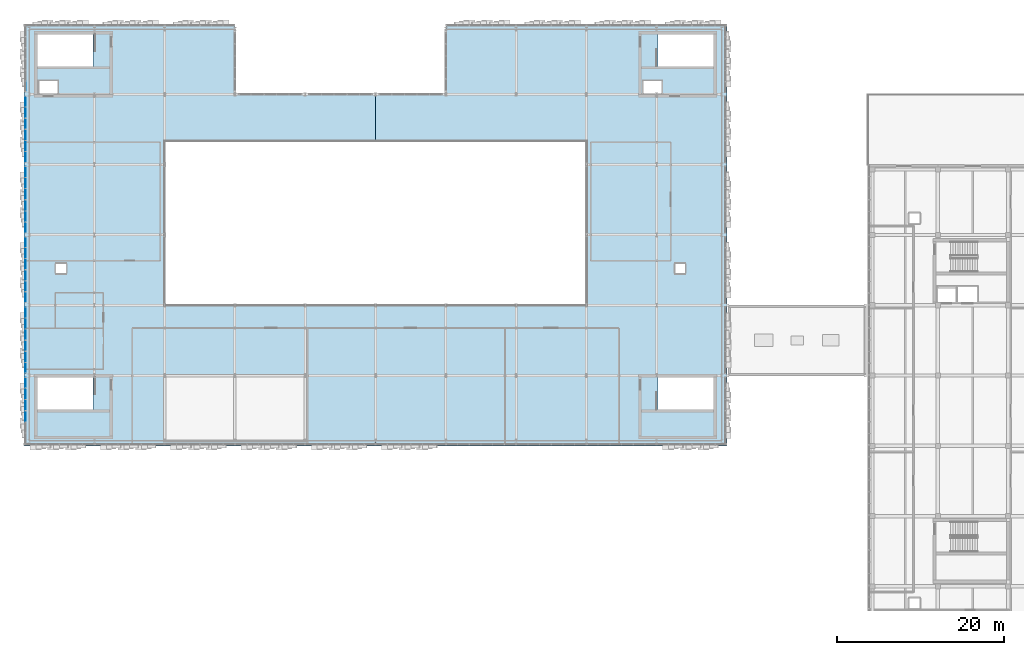
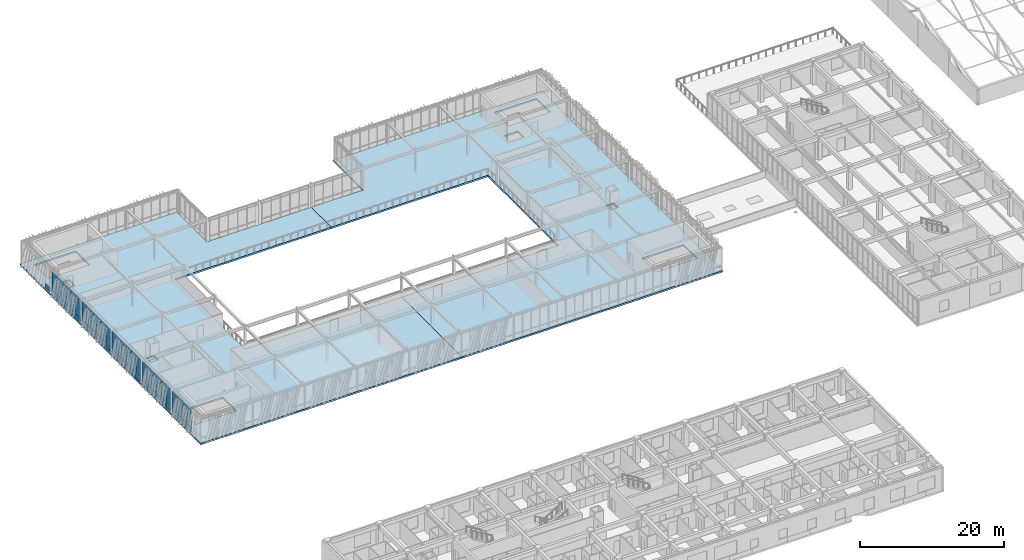
# One storey, part 89 of 123: 57 plates, 2 slabs, 6 elements without a shape of their own.
"""IFC4 building model written with IfcOpenShell, lengths in metres."""

from ifc_helpers import new_model, si_unit, direction, frame, origin, origin_2d, place, context, subcontext, project, spatial, polyline, rectangle, outline, extrude, material, layer, layer_set, type_object, element, aggregate, save


model = new_model("IFC4")

# Units and contexts
model_context = context("Model", 3, precision=1e-05, world=origin(), true_north=direction((0.0, 1.0)))
body_context = subcontext(model_context, "Body", "Model", "MODEL_VIEW")
ifc_project = project(units=[si_unit("LENGTHUNIT", "METRE"), si_unit("AREAUNIT", "SQUARE_METRE"), si_unit("VOLUMEUNIT", "CUBIC_METRE"), si_unit("PLANEANGLEUNIT", "RADIAN"), si_unit("MASSUNIT", "GRAM", prefix="KILO")], contexts=[model_context])

# Site, building, storey
site_placement = place(None, origin())
site = spatial("IfcSite", under=ifc_project, at=site_placement, CompositionType="ELEMENT")
building_placement = place(site_placement, origin())
building = spatial("IfcBuilding", under=site, at=building_placement, Name="Zayran Congress Hotel", CompositionType="ELEMENT")
storey_placement = place(building_placement, frame((0.0, 0.0, 15.0)))
storey = spatial("IfcBuildingStorey", under=building, at=storey_placement, Name="L03", CompositionType="ELEMENT", Elevation=15.0)

# Slabs
ifc_material_1 = material(Name="Concrete C32/40", Category="concrete")
ifc_layer_1 = layer(ifc_material_1, 0.280029296875)
ifc_layer_set_1 = layer_set([ifc_layer_1], Name="Concrete C32/40")
slab_type = type_object("IfcSlabType", Name="SL-FL-280", PredefinedType="FLOOR", material=ifc_layer_set_1)
slab_1_placement = place(storey_placement, frame((0.0, 0.0, -0.280029296875)))
element("IfcSlab", 1, at=slab_1_placement, inside=storey, type_object=slab_type, Name="SLB-V1-L03-007", PredefinedType="FLOOR", context=body_context, shape_type="SweptSolid", body=[
    extrude(outline(polyline([(8.39990234375, 67.60009765625), (50.39990234375, 67.60009765625), (50.39990234375, 84.39990234375), (25.199951171875, 84.39990234375), (25.199951171875, 104.0), (50.39990234375, 104.0), (50.39990234375, 109.60009765625), (33.60009765625, 109.60009765625), (33.60009765625, 118.0), (8.39990234375, 118.0), (8.39990234375, 67.60009765625)]), holes=[polyline([(10.0, 112.9599609375), (16.659912109375, 112.9599609375), (16.659912109375, 116.800048828125), (10.0, 116.800048828125), (10.0, 112.9599609375)]), polyline([(10.199951171875, 109.60009765625), (12.39990234375, 109.60009765625), (12.39990234375, 111.199951171875), (10.199951171875, 111.199951171875), (10.199951171875, 109.60009765625)]), polyline([(10.0, 71.9599609375), (16.659912109375, 71.9599609375), (16.659912109375, 75.800048828125), (10.0, 75.800048828125), (10.0, 71.9599609375)]), polyline([(12.199951171875, 88.199951171875), (13.419921875, 88.199951171875), (13.419921875, 89.3798828125), (12.199951171875, 89.3798828125), (12.199951171875, 88.199951171875)])]), origin(), (0.0, 0.0, 1.0), 0.280029296875),
])
slab_2_placement = place(storey_placement, frame((0.0, 0.0, -0.280029296875)))
element("IfcSlab", 2, at=slab_2_placement, inside=storey, type_object=slab_type, Name="SLB-V1-L03-008", PredefinedType="FLOOR", context=body_context, shape_type="SweptSolid", body=[
    extrude(outline(polyline([(50.39990234375, 67.60009765625), (92.39990234375, 67.60009765625), (92.39990234375, 118.0), (58.800048828125, 118.0), (58.800048828125, 109.60009765625), (50.39990234375, 109.60009765625), (50.39990234375, 104.0), (75.60009765625, 104.0), (75.60009765625, 84.39990234375), (50.39990234375, 84.39990234375), (50.39990234375, 67.60009765625)]), holes=[polyline([(84.139892578125, 112.9599609375), (90.800048828125, 112.9599609375), (90.800048828125, 116.800048828125), (84.139892578125, 116.800048828125), (84.139892578125, 112.9599609375)]), polyline([(82.39990234375, 109.60009765625), (84.60009765625, 109.60009765625), (84.60009765625, 111.199951171875), (82.39990234375, 111.199951171875), (82.39990234375, 109.60009765625)]), polyline([(84.139892578125, 71.9599609375), (90.800048828125, 71.9599609375), (90.800048828125, 75.800048828125), (84.139892578125, 75.800048828125), (84.139892578125, 71.9599609375)]), polyline([(86.199951171875, 88.199951171875), (87.419921875, 88.199951171875), (87.419921875, 89.3798828125), (86.199951171875, 89.3798828125), (86.199951171875, 88.199951171875)])]), origin(), (0.0, 0.0, 1.0), 0.280029296875),
])

# Curtain wall, plates
ifc_material_2 = material(Name="Anodised aluminium and low-E insulated glass", Category="aluminium")
ifc_layer_2 = layer(ifc_material_2, 0.179931640625)
ifc_layer_set_2 = layer_set([ifc_layer_2], Name="Anodised aluminium and low-E insulated glass")
curtain_wall_type_1 = type_object("IfcCurtainWallType", Name="CW-V1W-L03-CW-31-8040-3980", PredefinedType="USERDEFINED", material=ifc_layer_set_2)
curtain_wall_1_placement = place(storey_placement, origin())
curtain_wall_1 = element("IfcCurtainWall", 3, at=curtain_wall_1_placement, inside=storey, type_object=curtain_wall_type_1, Name="CW-V1W-L03-0", ObjectType="CURTAIN WALL", PredefinedType="USERDEFINED")
ifc_material_3 = material(Name="Insulated warm bronze aluminium spandrel panel", Category="aluminium")
ifc_layer_3 = layer(ifc_material_3, 0.06005859375)
ifc_layer_set_3 = layer_set([ifc_layer_3], Name="Insulated warm bronze aluminium spandrel panel")
plate_type_1 = type_object("IfcPlateType", Name="CWP-SP-1220-750", PredefinedType="CURTAIN_PANEL", material=ifc_layer_set_3)
plate_1_placement = place(storey_placement, frame((8.550048828125, 75.1298828125, 0.06005859375), z_axis=(0.0, 0.0, 1.0), x_axis=(0.0, 1.0, 0.0)))
plate_1 = element("IfcPlate", 4, at=plate_1_placement, type_object=plate_type_1, Name="CW-31 Spandrel Panel 1", PredefinedType="CURTAIN_PANEL", context=body_context, shape_type="SweptSolid", body=[
    extrude(rectangle(XDim=1.219970703125, YDim=0.06005859375, at=origin_2d()), origin(), (0.0, 0.0, 1.0), 0.75),
])
plate_2_placement = place(storey_placement, frame((8.550048828125, 73.81005859375, 0.06005859375), z_axis=(0.0, 0.0, 1.0), x_axis=(0.0, 1.0, 0.0)))
plate_2 = element("IfcPlate", 5, at=plate_2_placement, type_object=plate_type_1, Name="CW-31 Spandrel Panel 2", PredefinedType="CURTAIN_PANEL", context=body_context, shape_type="SweptSolid", body=[
    extrude(rectangle(XDim=1.260009765625, YDim=0.06005859375, at=origin_2d()), origin(), (0.0, 0.0, 1.0), 0.75),
])
plate_3_placement = place(storey_placement, frame((8.550048828125, 72.469970703125, 0.06005859375), z_axis=(0.0, 0.0, 1.0), x_axis=(0.0, 1.0, 0.0)))
plate_3 = element("IfcPlate", 6, at=plate_3_placement, type_object=plate_type_1, Name="CW-31 Spandrel Panel 3", PredefinedType="CURTAIN_PANEL", context=body_context, shape_type="SweptSolid", body=[
    extrude(rectangle(XDim=1.260009765625, YDim=0.06005859375, at=origin_2d()), origin(), (0.0, 0.0, 1.0), 0.75),
])
plate_4_placement = place(storey_placement, frame((8.550048828125, 71.1298828125, 0.06005859375), z_axis=(0.0, 0.0, 1.0), x_axis=(0.0, 1.0, 0.0)))
plate_4 = element("IfcPlate", 7, at=plate_4_placement, type_object=plate_type_1, Name="CW-31 Spandrel Panel 4", PredefinedType="CURTAIN_PANEL", context=body_context, shape_type="SweptSolid", body=[
    extrude(rectangle(XDim=1.260009765625, YDim=0.06005859375, at=origin_2d()), origin(), (0.0, 0.0, 1.0), 0.75),
])

ifc_layer_4 = layer(ifc_material_2, 0.179931640625)
ifc_layer_set_4 = layer_set([ifc_layer_4], Name="Anodised aluminium and low-E insulated glass")
curtain_wall_type_2 = type_object("IfcCurtainWallType", Name="CW-V1W-L03-CW-32-8040-3980", PredefinedType="USERDEFINED", material=ifc_layer_set_4)
curtain_wall_2_placement = place(storey_placement, origin())
curtain_wall_2 = element("IfcCurtainWall", 8, at=curtain_wall_2_placement, inside=storey, type_object=curtain_wall_type_2, Name="CW-V1W-L03-3", ObjectType="CURTAIN WALL", PredefinedType="USERDEFINED")
plate_5_placement = place(storey_placement, frame((8.550048828125, 100.330078125, 0.06005859375), z_axis=(0.0, 0.0, 1.0), x_axis=(0.0, 1.0, 0.0)))
plate_5 = element("IfcPlate", 9, at=plate_5_placement, type_object=plate_type_1, Name="CW-32 Spandrel Panel 1", PredefinedType="CURTAIN_PANEL", context=body_context, shape_type="SweptSolid", body=[
    extrude(rectangle(XDim=1.219970703125, YDim=0.06005859375, at=origin_2d()), origin(), (0.0, 0.0, 1.0), 0.75),
])
plate_6_placement = place(storey_placement, frame((8.550048828125, 99.010009765625, 0.06005859375), z_axis=(0.0, 0.0, 1.0), x_axis=(0.0, 1.0, 0.0)))
plate_6 = element("IfcPlate", 10, at=plate_6_placement, type_object=plate_type_1, Name="CW-32 Spandrel Panel 2", PredefinedType="CURTAIN_PANEL", context=body_context, shape_type="SweptSolid", body=[
    extrude(rectangle(XDim=1.260009765625, YDim=0.06005859375, at=origin_2d()), origin(), (0.0, 0.0, 1.0), 0.75),
])
plate_7_placement = place(storey_placement, frame((8.550048828125, 97.669921875, 0.06005859375), z_axis=(0.0, 0.0, 1.0), x_axis=(0.0, 1.0, 0.0)))
plate_7 = element("IfcPlate", 11, at=plate_7_placement, type_object=plate_type_1, Name="CW-32 Spandrel Panel 3", PredefinedType="CURTAIN_PANEL", context=body_context, shape_type="SweptSolid", body=[
    extrude(rectangle(XDim=1.260009765625, YDim=0.06005859375, at=origin_2d()), origin(), (0.0, 0.0, 1.0), 0.75),
])
plate_8_placement = place(storey_placement, frame((8.550048828125, 96.330078125, 0.06005859375), z_axis=(0.0, 0.0, 1.0), x_axis=(0.0, 1.0, 0.0)))
plate_8 = element("IfcPlate", 12, at=plate_8_placement, type_object=plate_type_1, Name="CW-32 Spandrel Panel 4", PredefinedType="CURTAIN_PANEL", context=body_context, shape_type="SweptSolid", body=[
    extrude(rectangle(XDim=1.260009765625, YDim=0.06005859375, at=origin_2d()), origin(), (0.0, 0.0, 1.0), 0.75),
])
plate_9_placement = place(storey_placement, frame((8.550048828125, 94.989990234375, 0.06005859375), z_axis=(0.0, 0.0, 1.0), x_axis=(0.0, 1.0, 0.0)))
plate_9 = element("IfcPlate", 13, at=plate_9_placement, type_object=plate_type_1, Name="CW-32 Spandrel Panel 5", PredefinedType="CURTAIN_PANEL", context=body_context, shape_type="SweptSolid", body=[
    extrude(rectangle(XDim=1.260009765625, YDim=0.06005859375, at=origin_2d()), origin(), (0.0, 0.0, 1.0), 0.75),
])
plate_10_placement = place(storey_placement, frame((8.550048828125, 93.669921875, 0.06005859375), z_axis=(0.0, 0.0, 1.0), x_axis=(0.0, 1.0, 0.0)))
plate_10 = element("IfcPlate", 14, at=plate_10_placement, type_object=plate_type_1, Name="CW-32 Spandrel Panel 6", PredefinedType="CURTAIN_PANEL", context=body_context, shape_type="SweptSolid", body=[
    extrude(rectangle(XDim=1.219970703125, YDim=0.06005859375, at=origin_2d()), origin(), (0.0, 0.0, 1.0), 0.75),
])

ifc_layer_5 = layer(ifc_material_2, 0.179931640625)
ifc_layer_set_5 = layer_set([ifc_layer_5], Name="Anodised aluminium and low-E insulated glass")
curtain_wall_type_3 = type_object("IfcCurtainWallType", Name="CW-V1W-L03-CW-32-7990-3980", PredefinedType="USERDEFINED", material=ifc_layer_set_5)
curtain_wall_3_placement = place(storey_placement, origin())
curtain_wall_3 = element("IfcCurtainWall", 15, at=curtain_wall_3_placement, inside=storey, type_object=curtain_wall_type_3, Name="CW-V1W-L03-1", ObjectType="CURTAIN WALL", PredefinedType="USERDEFINED")
ifc_layer_6 = layer(ifc_material_3, 0.06005859375)
ifc_layer_set_6 = layer_set([ifc_layer_6], Name="Insulated warm bronze aluminium spandrel panel")
plate_type_2 = type_object("IfcPlateType", Name="CWP-SP-1212-750", PredefinedType="CURTAIN_PANEL", material=ifc_layer_set_6)
plate_11_placement = place(storey_placement, frame((8.550048828125, 83.5341796875, 0.06005859375), z_axis=(0.0, 0.0, 1.0), x_axis=(0.0, 1.0, 0.0)))
plate_11 = element("IfcPlate", 16, at=plate_11_placement, type_object=plate_type_2, Name="CW-32 Spandrel Panel 1", PredefinedType="CURTAIN_PANEL", context=body_context, shape_type="SweptSolid", body=[
    extrude(rectangle(XDim=1.211669921875, YDim=0.06005859375, at=origin_2d()), origin(), (0.0, 0.0, 1.0), 0.75),
])
plate_12_placement = place(storey_placement, frame((8.550048828125, 82.222412109375, 0.06005859375), z_axis=(0.0, 0.0, 1.0), x_axis=(0.0, 1.0, 0.0)))
plate_12 = element("IfcPlate", 17, at=plate_12_placement, type_object=plate_type_2, Name="CW-32 Spandrel Panel 2", PredefinedType="CURTAIN_PANEL", context=body_context, shape_type="SweptSolid", body=[
    extrude(rectangle(XDim=1.251708984375, YDim=0.06005859375, at=origin_2d()), origin(), (0.0, 0.0, 1.0), 0.75),
])
plate_13_placement = place(storey_placement, frame((8.550048828125, 80.890869140625, 0.06005859375), z_axis=(0.0, 0.0, 1.0), x_axis=(0.0, 1.0, 0.0)))
plate_13 = element("IfcPlate", 18, at=plate_13_placement, type_object=plate_type_2, Name="CW-32 Spandrel Panel 3", PredefinedType="CURTAIN_PANEL", context=body_context, shape_type="SweptSolid", body=[
    extrude(rectangle(XDim=1.251708984375, YDim=0.06005859375, at=origin_2d()), origin(), (0.0, 0.0, 1.0), 0.75),
])
plate_14_placement = place(storey_placement, frame((8.550048828125, 79.55908203125, 0.06005859375), z_axis=(0.0, 0.0, 1.0), x_axis=(0.0, 1.0, 0.0)))
plate_14 = element("IfcPlate", 19, at=plate_14_placement, type_object=plate_type_2, Name="CW-32 Spandrel Panel 4", PredefinedType="CURTAIN_PANEL", context=body_context, shape_type="SweptSolid", body=[
    extrude(rectangle(XDim=1.251708984375, YDim=0.06005859375, at=origin_2d()), origin(), (0.0, 0.0, 1.0), 0.75),
])
plate_15_placement = place(storey_placement, frame((8.550048828125, 78.2275390625, 0.06005859375), z_axis=(0.0, 0.0, 1.0), x_axis=(0.0, 1.0, 0.0)))
plate_15 = element("IfcPlate", 20, at=plate_15_placement, type_object=plate_type_2, Name="CW-32 Spandrel Panel 5", PredefinedType="CURTAIN_PANEL", context=body_context, shape_type="SweptSolid", body=[
    extrude(rectangle(XDim=1.251708984375, YDim=0.06005859375, at=origin_2d()), origin(), (0.0, 0.0, 1.0), 0.75),
])
plate_16_placement = place(storey_placement, frame((8.550048828125, 76.915771484375, 0.06005859375), z_axis=(0.0, 0.0, 1.0), x_axis=(0.0, 1.0, 0.0)))
plate_16 = element("IfcPlate", 21, at=plate_16_placement, type_object=plate_type_2, Name="CW-32 Spandrel Panel 6", PredefinedType="CURTAIN_PANEL", context=body_context, shape_type="SweptSolid", body=[
    extrude(rectangle(XDim=1.211669921875, YDim=0.06005859375, at=origin_2d()), origin(), (0.0, 0.0, 1.0), 0.75),
])

ifc_layer_7 = layer(ifc_material_2, 0.179931640625)
ifc_layer_set_7 = layer_set([ifc_layer_7], Name="Anodised aluminium and low-E insulated glass")
curtain_wall_type_4 = type_object("IfcCurtainWallType", Name="CW-V1W-L03-CW-31-7990-3980", PredefinedType="USERDEFINED", material=ifc_layer_set_7)
curtain_wall_4_placement = place(storey_placement, origin())
curtain_wall_4 = element("IfcCurtainWall", 22, at=curtain_wall_4_placement, inside=storey, type_object=curtain_wall_type_4, Name="CW-V1W-L03-4", ObjectType="CURTAIN WALL", PredefinedType="USERDEFINED")
plate_17_placement = place(storey_placement, frame((8.550048828125, 108.734130859375, 0.06005859375), z_axis=(0.0, 0.0, 1.0), x_axis=(0.0, 1.0, 0.0)))
plate_17 = element("IfcPlate", 23, at=plate_17_placement, type_object=plate_type_2, Name="CW-31 Spandrel Panel 1", PredefinedType="CURTAIN_PANEL", context=body_context, shape_type="SweptSolid", body=[
    extrude(rectangle(XDim=1.211669921875, YDim=0.06005859375, at=origin_2d()), origin(), (0.0, 0.0, 1.0), 0.75),
])
plate_18_placement = place(storey_placement, frame((8.550048828125, 107.422607421875, 0.06005859375), z_axis=(0.0, 0.0, 1.0), x_axis=(0.0, 1.0, 0.0)))
plate_18 = element("IfcPlate", 24, at=plate_18_placement, type_object=plate_type_2, Name="CW-31 Spandrel Panel 2", PredefinedType="CURTAIN_PANEL", context=body_context, shape_type="SweptSolid", body=[
    extrude(rectangle(XDim=1.251708984375, YDim=0.06005859375, at=origin_2d()), origin(), (0.0, 0.0, 1.0), 0.75),
])
plate_19_placement = place(storey_placement, frame((8.550048828125, 106.0908203125, 0.06005859375), z_axis=(0.0, 0.0, 1.0), x_axis=(0.0, 1.0, 0.0)))
plate_19 = element("IfcPlate", 25, at=plate_19_placement, type_object=plate_type_2, Name="CW-31 Spandrel Panel 3", PredefinedType="CURTAIN_PANEL", context=body_context, shape_type="SweptSolid", body=[
    extrude(rectangle(XDim=1.251708984375, YDim=0.06005859375, at=origin_2d()), origin(), (0.0, 0.0, 1.0), 0.75),
])
plate_20_placement = place(storey_placement, frame((8.550048828125, 104.75927734375, 0.06005859375), z_axis=(0.0, 0.0, 1.0), x_axis=(0.0, 1.0, 0.0)))
plate_20 = element("IfcPlate", 26, at=plate_20_placement, type_object=plate_type_2, Name="CW-31 Spandrel Panel 4", PredefinedType="CURTAIN_PANEL", context=body_context, shape_type="SweptSolid", body=[
    extrude(rectangle(XDim=1.251708984375, YDim=0.06005859375, at=origin_2d()), origin(), (0.0, 0.0, 1.0), 0.75),
])
plate_21_placement = place(storey_placement, frame((8.550048828125, 103.427490234375, 0.06005859375), z_axis=(0.0, 0.0, 1.0), x_axis=(0.0, 1.0, 0.0)))
plate_21 = element("IfcPlate", 27, at=plate_21_placement, type_object=plate_type_2, Name="CW-31 Spandrel Panel 5", PredefinedType="CURTAIN_PANEL", context=body_context, shape_type="SweptSolid", body=[
    extrude(rectangle(XDim=1.251708984375, YDim=0.06005859375, at=origin_2d()), origin(), (0.0, 0.0, 1.0), 0.75),
])
plate_22_placement = place(storey_placement, frame((8.550048828125, 102.11572265625, 0.06005859375), z_axis=(0.0, 0.0, 1.0), x_axis=(0.0, 1.0, 0.0)))
plate_22 = element("IfcPlate", 28, at=plate_22_placement, type_object=plate_type_2, Name="CW-31 Spandrel Panel 6", PredefinedType="CURTAIN_PANEL", context=body_context, shape_type="SweptSolid", body=[
    extrude(rectangle(XDim=1.211669921875, YDim=0.06005859375, at=origin_2d()), origin(), (0.0, 0.0, 1.0), 0.75),
])

ifc_layer_8 = layer(ifc_material_2, 0.179931640625)
ifc_layer_set_8 = layer_set([ifc_layer_8], Name="Anodised aluminium and low-E insulated glass")
curtain_wall_type_5 = type_object("IfcCurtainWallType", Name="CW-V1W-L03-CW-31-7940-3980", PredefinedType="USERDEFINED", material=ifc_layer_set_8)
curtain_wall_5_placement = place(storey_placement, origin())
curtain_wall_5 = element("IfcCurtainWall", 29, at=curtain_wall_5_placement, inside=storey, type_object=curtain_wall_type_5, Name="CW-V1W-L03-2", ObjectType="CURTAIN WALL", PredefinedType="USERDEFINED")
ifc_layer_9 = layer(ifc_material_3, 0.06005859375)
ifc_layer_set_9 = layer_set([ifc_layer_9], Name="Insulated warm bronze aluminium spandrel panel")
plate_type_3 = type_object("IfcPlateType", Name="CWP-SP-1203-750", PredefinedType="CURTAIN_PANEL", material=ifc_layer_set_9)
plate_23_placement = place(storey_placement, frame((8.550048828125, 91.938232421875, 0.06005859375), z_axis=(0.0, 0.0, 1.0), x_axis=(0.0, 1.0, 0.0)))
plate_23 = element("IfcPlate", 30, at=plate_23_placement, type_object=plate_type_3, Name="CW-31 Spandrel Panel 1", PredefinedType="CURTAIN_PANEL", context=body_context, shape_type="SweptSolid", body=[
    extrude(rectangle(XDim=1.203369140625, YDim=0.06005859375, at=origin_2d()), origin(), (0.0, 0.0, 1.0), 0.75),
])
plate_24_placement = place(storey_placement, frame((8.550048828125, 90.635009765625, 0.06005859375), z_axis=(0.0, 0.0, 1.0), x_axis=(0.0, 1.0, 0.0)))
plate_24 = element("IfcPlate", 31, at=plate_24_placement, type_object=plate_type_3, Name="CW-31 Spandrel Panel 2", PredefinedType="CURTAIN_PANEL", context=body_context, shape_type="SweptSolid", body=[
    extrude(rectangle(XDim=1.243408203125, YDim=0.06005859375, at=origin_2d()), origin(), (0.0, 0.0, 1.0), 0.75),
])
plate_25_placement = place(storey_placement, frame((8.550048828125, 89.311767578125, 0.06005859375), z_axis=(0.0, 0.0, 1.0), x_axis=(0.0, 1.0, 0.0)))
plate_25 = element("IfcPlate", 32, at=plate_25_placement, type_object=plate_type_3, Name="CW-31 Spandrel Panel 3", PredefinedType="CURTAIN_PANEL", context=body_context, shape_type="SweptSolid", body=[
    extrude(rectangle(XDim=1.243408203125, YDim=0.06005859375, at=origin_2d()), origin(), (0.0, 0.0, 1.0), 0.75),
])
plate_26_placement = place(storey_placement, frame((8.550048828125, 87.98828125, 0.06005859375), z_axis=(0.0, 0.0, 1.0), x_axis=(0.0, 1.0, 0.0)))
plate_26 = element("IfcPlate", 33, at=plate_26_placement, type_object=plate_type_3, Name="CW-31 Spandrel Panel 4", PredefinedType="CURTAIN_PANEL", context=body_context, shape_type="SweptSolid", body=[
    extrude(rectangle(XDim=1.243408203125, YDim=0.06005859375, at=origin_2d()), origin(), (0.0, 0.0, 1.0), 0.75),
])
plate_27_placement = place(storey_placement, frame((8.550048828125, 86.6650390625, 0.06005859375), z_axis=(0.0, 0.0, 1.0), x_axis=(0.0, 1.0, 0.0)))
plate_27 = element("IfcPlate", 34, at=plate_27_placement, type_object=plate_type_3, Name="CW-31 Spandrel Panel 5", PredefinedType="CURTAIN_PANEL", context=body_context, shape_type="SweptSolid", body=[
    extrude(rectangle(XDim=1.243408203125, YDim=0.06005859375, at=origin_2d()), origin(), (0.0, 0.0, 1.0), 0.75),
])
plate_28_placement = place(storey_placement, frame((8.550048828125, 85.36181640625, 0.06005859375), z_axis=(0.0, 0.0, 1.0), x_axis=(0.0, 1.0, 0.0)))
plate_28 = element("IfcPlate", 35, at=plate_28_placement, type_object=plate_type_3, Name="CW-31 Spandrel Panel 6", PredefinedType="CURTAIN_PANEL", context=body_context, shape_type="SweptSolid", body=[
    extrude(rectangle(XDim=1.203369140625, YDim=0.06005859375, at=origin_2d()), origin(), (0.0, 0.0, 1.0), 0.75),
])

# Curtain wall, plate
ifc_layer_10 = layer(ifc_material_2, 0.179931640625)
ifc_layer_set_10 = layer_set([ifc_layer_10], Name="Anodised aluminium and low-E insulated glass")
curtain_wall_type_6 = type_object("IfcCurtainWallType", Name="CW-V1W-L03-CW-32-7940-3980", PredefinedType="USERDEFINED", material=ifc_layer_set_10)
curtain_wall_6_placement = place(storey_placement, origin())
curtain_wall_6 = element("IfcCurtainWall", 36, at=curtain_wall_6_placement, inside=storey, type_object=curtain_wall_type_6, Name="CW-V1W-L03-5", ObjectType="CURTAIN WALL", PredefinedType="USERDEFINED")
plate_29_placement = place(storey_placement, frame((8.550048828125, 110.561767578125, 0.06005859375), z_axis=(0.0, 0.0, 1.0), x_axis=(0.0, 1.0, 0.0)))
plate_29 = element("IfcPlate", 37, at=plate_29_placement, type_object=plate_type_3, Name="CW-32 Spandrel Panel 6", PredefinedType="CURTAIN_PANEL", context=body_context, shape_type="SweptSolid", body=[
    extrude(rectangle(XDim=1.203369140625, YDim=0.06005859375, at=origin_2d()), origin(), (0.0, 0.0, 1.0), 0.75),
])
aggregate(curtain_wall_6, [plate_29])

# Plate
ifc_layer_11 = layer(ifc_material_2, 0.028076171875)
ifc_layer_set_11 = layer_set([ifc_layer_11], Name="Anodised aluminium and low-E insulated glass")
plate_type_4 = type_object("IfcPlateType", Name="CWP-GL-1220-3050", PredefinedType="CURTAIN_PANEL", material=ifc_layer_set_11)
plate_30_placement = place(storey_placement, frame((8.550048828125, 75.1298828125, 0.8701171875), z_axis=(0.0, 0.0, 1.0), x_axis=(0.0, 1.0, 0.0)))
plate_30 = element("IfcPlate", 38, at=plate_30_placement, type_object=plate_type_4, Name="CW-31 Glazed Panel 1", PredefinedType="CURTAIN_PANEL", context=body_context, shape_type="SweptSolid", body=[
    extrude(rectangle(XDim=1.219970703125, YDim=0.028076171875, at=origin_2d()), origin(), (0.0, 0.0, 1.0), 3.050048828125),
])

plate_31_placement = place(storey_placement, frame((8.550048828125, 73.81005859375, 0.8701171875), z_axis=(0.0, 0.0, 1.0), x_axis=(0.0, 1.0, 0.0)))
plate_31 = element("IfcPlate", 39, at=plate_31_placement, type_object=plate_type_4, Name="CW-31 Glazed Panel 2", PredefinedType="CURTAIN_PANEL", context=body_context, shape_type="SweptSolid", body=[
    extrude(rectangle(XDim=1.260009765625, YDim=0.028076171875, at=origin_2d()), origin(), (0.0, 0.0, 1.0), 3.050048828125),
])

plate_32_placement = place(storey_placement, frame((8.550048828125, 72.469970703125, 0.8701171875), z_axis=(0.0, 0.0, 1.0), x_axis=(0.0, 1.0, 0.0)))
plate_32 = element("IfcPlate", 40, at=plate_32_placement, type_object=plate_type_4, Name="CW-31 Glazed Panel 3", PredefinedType="CURTAIN_PANEL", context=body_context, shape_type="SweptSolid", body=[
    extrude(rectangle(XDim=1.260009765625, YDim=0.028076171875, at=origin_2d()), origin(), (0.0, 0.0, 1.0), 3.050048828125),
])

plate_33_placement = place(storey_placement, frame((8.550048828125, 71.1298828125, 0.8701171875), z_axis=(0.0, 0.0, 1.0), x_axis=(0.0, 1.0, 0.0)))
plate_33 = element("IfcPlate", 41, at=plate_33_placement, type_object=plate_type_4, Name="CW-31 Glazed Panel 4", PredefinedType="CURTAIN_PANEL", context=body_context, shape_type="SweptSolid", body=[
    extrude(rectangle(XDim=1.260009765625, YDim=0.028076171875, at=origin_2d()), origin(), (0.0, 0.0, 1.0), 3.050048828125),
])

aggregate(curtain_wall_1, [plate_1, plate_30, plate_2, plate_31, plate_3, plate_32, plate_4, plate_33])

plate_34_placement = place(storey_placement, frame((8.550048828125, 100.330078125, 0.8701171875), z_axis=(0.0, 0.0, 1.0), x_axis=(0.0, 1.0, 0.0)))
plate_34 = element("IfcPlate", 42, at=plate_34_placement, type_object=plate_type_4, Name="CW-32 Glazed Panel 1", PredefinedType="CURTAIN_PANEL", context=body_context, shape_type="SweptSolid", body=[
    extrude(rectangle(XDim=1.219970703125, YDim=0.028076171875, at=origin_2d()), origin(), (0.0, 0.0, 1.0), 3.050048828125),
])

plate_35_placement = place(storey_placement, frame((8.550048828125, 99.010009765625, 0.8701171875), z_axis=(0.0, 0.0, 1.0), x_axis=(0.0, 1.0, 0.0)))
plate_35 = element("IfcPlate", 43, at=plate_35_placement, type_object=plate_type_4, Name="CW-32 Glazed Panel 2", PredefinedType="CURTAIN_PANEL", context=body_context, shape_type="SweptSolid", body=[
    extrude(rectangle(XDim=1.260009765625, YDim=0.028076171875, at=origin_2d()), origin(), (0.0, 0.0, 1.0), 3.050048828125),
])

plate_36_placement = place(storey_placement, frame((8.550048828125, 97.669921875, 0.8701171875), z_axis=(0.0, 0.0, 1.0), x_axis=(0.0, 1.0, 0.0)))
plate_36 = element("IfcPlate", 44, at=plate_36_placement, type_object=plate_type_4, Name="CW-32 Glazed Panel 3", PredefinedType="CURTAIN_PANEL", context=body_context, shape_type="SweptSolid", body=[
    extrude(rectangle(XDim=1.260009765625, YDim=0.028076171875, at=origin_2d()), origin(), (0.0, 0.0, 1.0), 3.050048828125),
])

plate_37_placement = place(storey_placement, frame((8.550048828125, 96.330078125, 0.8701171875), z_axis=(0.0, 0.0, 1.0), x_axis=(0.0, 1.0, 0.0)))
plate_37 = element("IfcPlate", 45, at=plate_37_placement, type_object=plate_type_4, Name="CW-32 Glazed Panel 4", PredefinedType="CURTAIN_PANEL", context=body_context, shape_type="SweptSolid", body=[
    extrude(rectangle(XDim=1.260009765625, YDim=0.028076171875, at=origin_2d()), origin(), (0.0, 0.0, 1.0), 3.050048828125),
])

plate_38_placement = place(storey_placement, frame((8.550048828125, 94.989990234375, 0.8701171875), z_axis=(0.0, 0.0, 1.0), x_axis=(0.0, 1.0, 0.0)))
plate_38 = element("IfcPlate", 46, at=plate_38_placement, type_object=plate_type_4, Name="CW-32 Glazed Panel 5", PredefinedType="CURTAIN_PANEL", context=body_context, shape_type="SweptSolid", body=[
    extrude(rectangle(XDim=1.260009765625, YDim=0.028076171875, at=origin_2d()), origin(), (0.0, 0.0, 1.0), 3.050048828125),
])

plate_39_placement = place(storey_placement, frame((8.550048828125, 93.669921875, 0.8701171875), z_axis=(0.0, 0.0, 1.0), x_axis=(0.0, 1.0, 0.0)))
plate_39 = element("IfcPlate", 47, at=plate_39_placement, type_object=plate_type_4, Name="CW-32 Glazed Panel 6", PredefinedType="CURTAIN_PANEL", context=body_context, shape_type="SweptSolid", body=[
    extrude(rectangle(XDim=1.219970703125, YDim=0.028076171875, at=origin_2d()), origin(), (0.0, 0.0, 1.0), 3.050048828125),
])

aggregate(curtain_wall_2, [plate_5, plate_34, plate_6, plate_35, plate_7, plate_36, plate_8, plate_37, plate_9, plate_38, plate_10, plate_39])

ifc_layer_12 = layer(ifc_material_2, 0.028076171875)
ifc_layer_set_12 = layer_set([ifc_layer_12], Name="Anodised aluminium and low-E insulated glass")
plate_type_5 = type_object("IfcPlateType", Name="CWP-GL-1212-3050", PredefinedType="CURTAIN_PANEL", material=ifc_layer_set_12)
plate_40_placement = place(storey_placement, frame((8.550048828125, 83.5341796875, 0.8701171875), z_axis=(0.0, 0.0, 1.0), x_axis=(0.0, 1.0, 0.0)))
plate_40 = element("IfcPlate", 48, at=plate_40_placement, type_object=plate_type_5, Name="CW-32 Glazed Panel 1", PredefinedType="CURTAIN_PANEL", context=body_context, shape_type="SweptSolid", body=[
    extrude(rectangle(XDim=1.211669921875, YDim=0.028076171875, at=origin_2d()), origin(), (0.0, 0.0, 1.0), 3.050048828125),
])

plate_41_placement = place(storey_placement, frame((8.550048828125, 82.222412109375, 0.8701171875), z_axis=(0.0, 0.0, 1.0), x_axis=(0.0, 1.0, 0.0)))
plate_41 = element("IfcPlate", 49, at=plate_41_placement, type_object=plate_type_5, Name="CW-32 Glazed Panel 2", PredefinedType="CURTAIN_PANEL", context=body_context, shape_type="SweptSolid", body=[
    extrude(rectangle(XDim=1.251708984375, YDim=0.028076171875, at=origin_2d()), origin(), (0.0, 0.0, 1.0), 3.050048828125),
])

plate_42_placement = place(storey_placement, frame((8.550048828125, 80.890869140625, 0.8701171875), z_axis=(0.0, 0.0, 1.0), x_axis=(0.0, 1.0, 0.0)))
plate_42 = element("IfcPlate", 50, at=plate_42_placement, type_object=plate_type_5, Name="CW-32 Glazed Panel 3", PredefinedType="CURTAIN_PANEL", context=body_context, shape_type="SweptSolid", body=[
    extrude(rectangle(XDim=1.251708984375, YDim=0.028076171875, at=origin_2d()), origin(), (0.0, 0.0, 1.0), 3.050048828125),
])

plate_43_placement = place(storey_placement, frame((8.550048828125, 79.55908203125, 0.8701171875), z_axis=(0.0, 0.0, 1.0), x_axis=(0.0, 1.0, 0.0)))
plate_43 = element("IfcPlate", 51, at=plate_43_placement, type_object=plate_type_5, Name="CW-32 Glazed Panel 4", PredefinedType="CURTAIN_PANEL", context=body_context, shape_type="SweptSolid", body=[
    extrude(rectangle(XDim=1.251708984375, YDim=0.028076171875, at=origin_2d()), origin(), (0.0, 0.0, 1.0), 3.050048828125),
])

plate_44_placement = place(storey_placement, frame((8.550048828125, 78.2275390625, 0.8701171875), z_axis=(0.0, 0.0, 1.0), x_axis=(0.0, 1.0, 0.0)))
plate_44 = element("IfcPlate", 52, at=plate_44_placement, type_object=plate_type_5, Name="CW-32 Glazed Panel 5", PredefinedType="CURTAIN_PANEL", context=body_context, shape_type="SweptSolid", body=[
    extrude(rectangle(XDim=1.251708984375, YDim=0.028076171875, at=origin_2d()), origin(), (0.0, 0.0, 1.0), 3.050048828125),
])

plate_45_placement = place(storey_placement, frame((8.550048828125, 76.915771484375, 0.8701171875), z_axis=(0.0, 0.0, 1.0), x_axis=(0.0, 1.0, 0.0)))
plate_45 = element("IfcPlate", 53, at=plate_45_placement, type_object=plate_type_5, Name="CW-32 Glazed Panel 6", PredefinedType="CURTAIN_PANEL", context=body_context, shape_type="SweptSolid", body=[
    extrude(rectangle(XDim=1.211669921875, YDim=0.028076171875, at=origin_2d()), origin(), (0.0, 0.0, 1.0), 3.050048828125),
])

aggregate(curtain_wall_3, [plate_11, plate_40, plate_12, plate_41, plate_13, plate_42, plate_14, plate_43, plate_15, plate_44, plate_16, plate_45])

plate_46_placement = place(storey_placement, frame((8.550048828125, 108.734130859375, 0.8701171875), z_axis=(0.0, 0.0, 1.0), x_axis=(0.0, 1.0, 0.0)))
plate_46 = element("IfcPlate", 54, at=plate_46_placement, type_object=plate_type_5, Name="CW-31 Glazed Panel 1", PredefinedType="CURTAIN_PANEL", context=body_context, shape_type="SweptSolid", body=[
    extrude(rectangle(XDim=1.211669921875, YDim=0.028076171875, at=origin_2d()), origin(), (0.0, 0.0, 1.0), 3.050048828125),
])

plate_47_placement = place(storey_placement, frame((8.550048828125, 107.422607421875, 0.8701171875), z_axis=(0.0, 0.0, 1.0), x_axis=(0.0, 1.0, 0.0)))
plate_47 = element("IfcPlate", 55, at=plate_47_placement, type_object=plate_type_5, Name="CW-31 Glazed Panel 2", PredefinedType="CURTAIN_PANEL", context=body_context, shape_type="SweptSolid", body=[
    extrude(rectangle(XDim=1.251708984375, YDim=0.028076171875, at=origin_2d()), origin(), (0.0, 0.0, 1.0), 3.050048828125),
])

plate_48_placement = place(storey_placement, frame((8.550048828125, 106.0908203125, 0.8701171875), z_axis=(0.0, 0.0, 1.0), x_axis=(0.0, 1.0, 0.0)))
plate_48 = element("IfcPlate", 56, at=plate_48_placement, type_object=plate_type_5, Name="CW-31 Glazed Panel 3", PredefinedType="CURTAIN_PANEL", context=body_context, shape_type="SweptSolid", body=[
    extrude(rectangle(XDim=1.251708984375, YDim=0.028076171875, at=origin_2d()), origin(), (0.0, 0.0, 1.0), 3.050048828125),
])

plate_49_placement = place(storey_placement, frame((8.550048828125, 104.75927734375, 0.8701171875), z_axis=(0.0, 0.0, 1.0), x_axis=(0.0, 1.0, 0.0)))
plate_49 = element("IfcPlate", 57, at=plate_49_placement, type_object=plate_type_5, Name="CW-31 Glazed Panel 4", PredefinedType="CURTAIN_PANEL", context=body_context, shape_type="SweptSolid", body=[
    extrude(rectangle(XDim=1.251708984375, YDim=0.028076171875, at=origin_2d()), origin(), (0.0, 0.0, 1.0), 3.050048828125),
])

plate_50_placement = place(storey_placement, frame((8.550048828125, 103.427490234375, 0.8701171875), z_axis=(0.0, 0.0, 1.0), x_axis=(0.0, 1.0, 0.0)))
plate_50 = element("IfcPlate", 58, at=plate_50_placement, type_object=plate_type_5, Name="CW-31 Glazed Panel 5", PredefinedType="CURTAIN_PANEL", context=body_context, shape_type="SweptSolid", body=[
    extrude(rectangle(XDim=1.251708984375, YDim=0.028076171875, at=origin_2d()), origin(), (0.0, 0.0, 1.0), 3.050048828125),
])

plate_51_placement = place(storey_placement, frame((8.550048828125, 102.11572265625, 0.8701171875), z_axis=(0.0, 0.0, 1.0), x_axis=(0.0, 1.0, 0.0)))
plate_51 = element("IfcPlate", 59, at=plate_51_placement, type_object=plate_type_5, Name="CW-31 Glazed Panel 6", PredefinedType="CURTAIN_PANEL", context=body_context, shape_type="SweptSolid", body=[
    extrude(rectangle(XDim=1.211669921875, YDim=0.028076171875, at=origin_2d()), origin(), (0.0, 0.0, 1.0), 3.050048828125),
])

aggregate(curtain_wall_4, [plate_17, plate_46, plate_18, plate_47, plate_19, plate_48, plate_20, plate_49, plate_21, plate_50, plate_22, plate_51])

ifc_layer_13 = layer(ifc_material_2, 0.028076171875)
ifc_layer_set_13 = layer_set([ifc_layer_13], Name="Anodised aluminium and low-E insulated glass")
plate_type_6 = type_object("IfcPlateType", Name="CWP-GL-1203-3050", PredefinedType="CURTAIN_PANEL", material=ifc_layer_set_13)
plate_52_placement = place(storey_placement, frame((8.550048828125, 91.938232421875, 0.8701171875), z_axis=(0.0, 0.0, 1.0), x_axis=(0.0, 1.0, 0.0)))
plate_52 = element("IfcPlate", 60, at=plate_52_placement, type_object=plate_type_6, Name="CW-31 Glazed Panel 1", PredefinedType="CURTAIN_PANEL", context=body_context, shape_type="SweptSolid", body=[
    extrude(rectangle(XDim=1.203369140625, YDim=0.028076171875, at=origin_2d()), origin(), (0.0, 0.0, 1.0), 3.050048828125),
])

plate_53_placement = place(storey_placement, frame((8.550048828125, 90.635009765625, 0.8701171875), z_axis=(0.0, 0.0, 1.0), x_axis=(0.0, 1.0, 0.0)))
plate_53 = element("IfcPlate", 61, at=plate_53_placement, type_object=plate_type_6, Name="CW-31 Glazed Panel 2", PredefinedType="CURTAIN_PANEL", context=body_context, shape_type="SweptSolid", body=[
    extrude(rectangle(XDim=1.243408203125, YDim=0.028076171875, at=origin_2d()), origin(), (0.0, 0.0, 1.0), 3.050048828125),
])

plate_54_placement = place(storey_placement, frame((8.550048828125, 89.311767578125, 0.8701171875), z_axis=(0.0, 0.0, 1.0), x_axis=(0.0, 1.0, 0.0)))
plate_54 = element("IfcPlate", 62, at=plate_54_placement, type_object=plate_type_6, Name="CW-31 Glazed Panel 3", PredefinedType="CURTAIN_PANEL", context=body_context, shape_type="SweptSolid", body=[
    extrude(rectangle(XDim=1.243408203125, YDim=0.028076171875, at=origin_2d()), origin(), (0.0, 0.0, 1.0), 3.050048828125),
])

plate_55_placement = place(storey_placement, frame((8.550048828125, 87.98828125, 0.8701171875), z_axis=(0.0, 0.0, 1.0), x_axis=(0.0, 1.0, 0.0)))
plate_55 = element("IfcPlate", 63, at=plate_55_placement, type_object=plate_type_6, Name="CW-31 Glazed Panel 4", PredefinedType="CURTAIN_PANEL", context=body_context, shape_type="SweptSolid", body=[
    extrude(rectangle(XDim=1.243408203125, YDim=0.028076171875, at=origin_2d()), origin(), (0.0, 0.0, 1.0), 3.050048828125),
])

plate_56_placement = place(storey_placement, frame((8.550048828125, 86.6650390625, 0.8701171875), z_axis=(0.0, 0.0, 1.0), x_axis=(0.0, 1.0, 0.0)))
plate_56 = element("IfcPlate", 64, at=plate_56_placement, type_object=plate_type_6, Name="CW-31 Glazed Panel 5", PredefinedType="CURTAIN_PANEL", context=body_context, shape_type="SweptSolid", body=[
    extrude(rectangle(XDim=1.243408203125, YDim=0.028076171875, at=origin_2d()), origin(), (0.0, 0.0, 1.0), 3.050048828125),
])

plate_57_placement = place(storey_placement, frame((8.550048828125, 85.36181640625, 0.8701171875), z_axis=(0.0, 0.0, 1.0), x_axis=(0.0, 1.0, 0.0)))
plate_57 = element("IfcPlate", 65, at=plate_57_placement, type_object=plate_type_6, Name="CW-31 Glazed Panel 6", PredefinedType="CURTAIN_PANEL", context=body_context, shape_type="SweptSolid", body=[
    extrude(rectangle(XDim=1.203369140625, YDim=0.028076171875, at=origin_2d()), origin(), (0.0, 0.0, 1.0), 3.050048828125),
])

aggregate(curtain_wall_5, [plate_23, plate_52, plate_24, plate_53, plate_25, plate_54, plate_26, plate_55, plate_27, plate_56, plate_28, plate_57])

save(model, "model.ifc")
